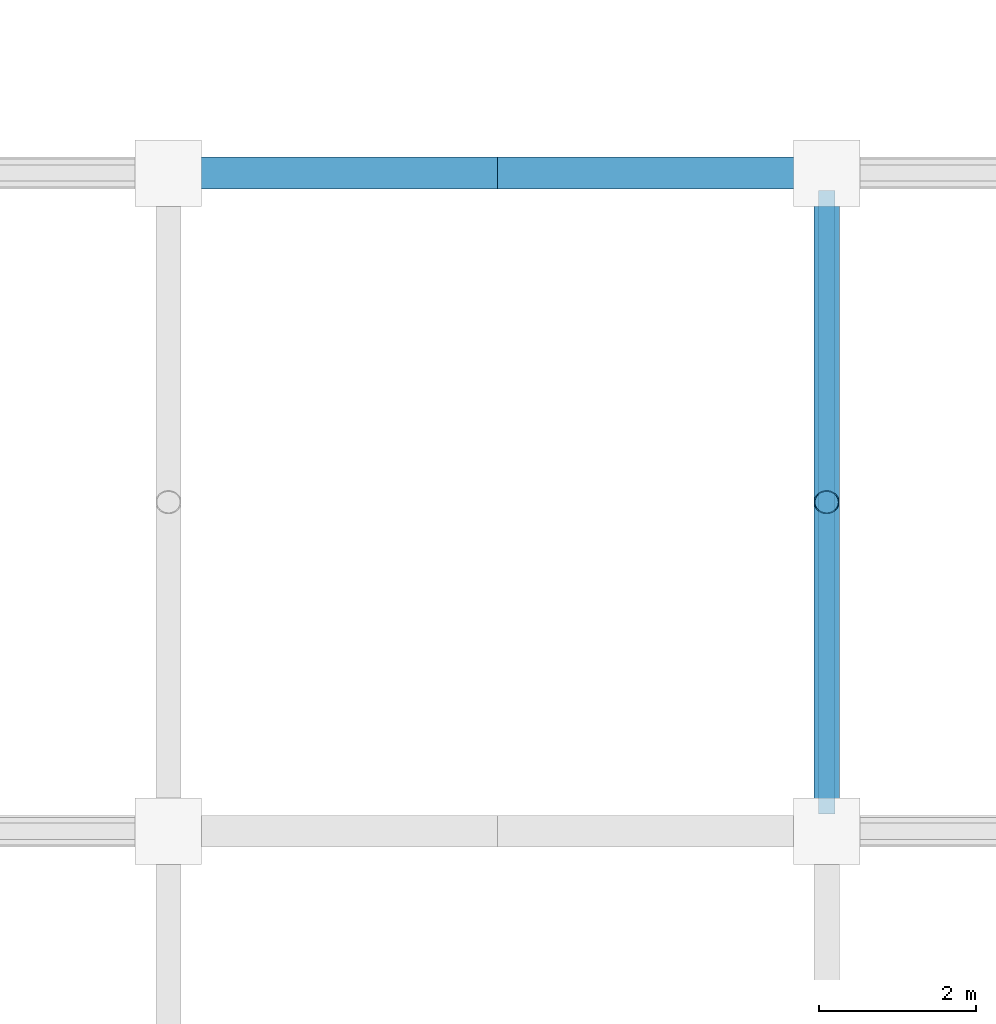
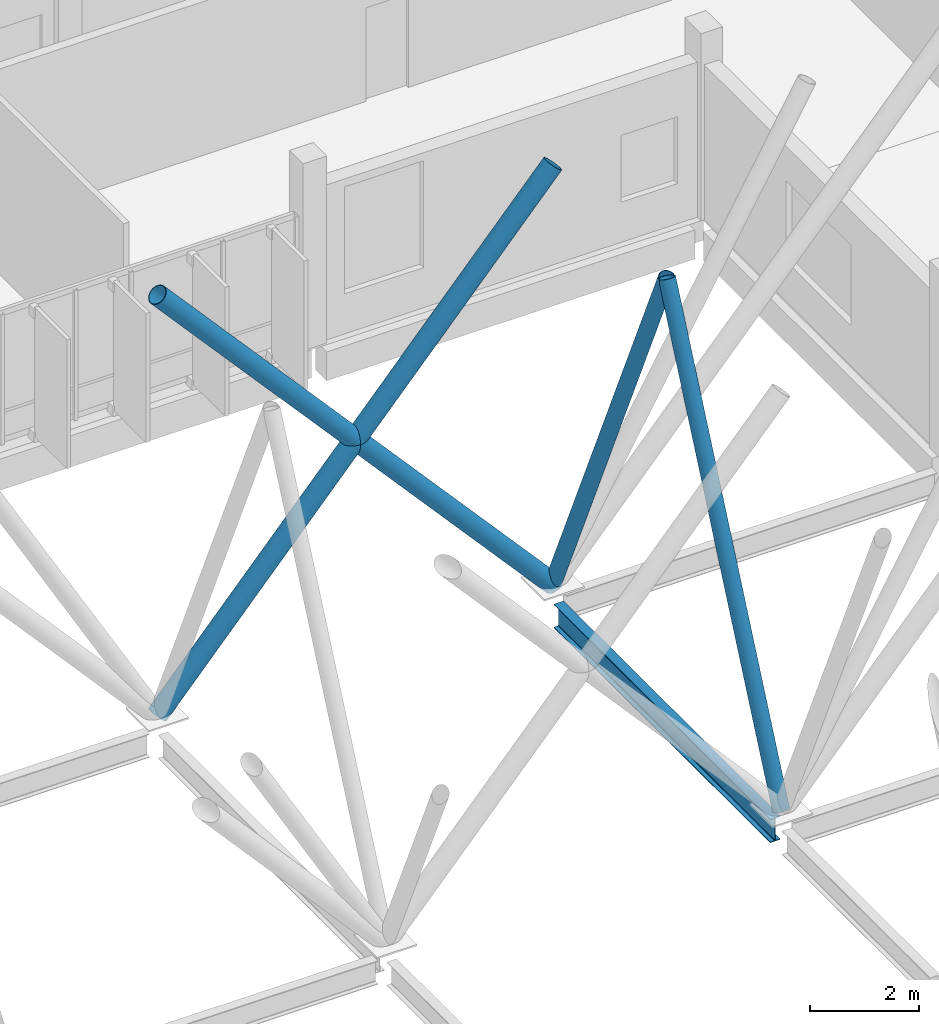
# One storey, part 45 of 107: 4 members, 1 beam.
"""IFC4 building model written with IfcOpenShell, lengths in metres."""

from ifc_helpers import new_model, si_unit, direction, frame, origin, origin_2d, place, context, subcontext, project, spatial, hollow_circle, i_section, extrude, material, material_profile, profile_set, type_object, element, save


model = new_model("IFC4")

# Units and contexts
model_context = context("Model", 3, precision=1e-05, world=origin(), true_north=direction((0.0, 1.0)))
body_context = subcontext(model_context, "Body", "Model", "MODEL_VIEW")
ifc_project = project(units=[si_unit("LENGTHUNIT", "METRE"), si_unit("AREAUNIT", "SQUARE_METRE"), si_unit("VOLUMEUNIT", "CUBIC_METRE"), si_unit("PLANEANGLEUNIT", "RADIAN"), si_unit("MASSUNIT", "GRAM", prefix="KILO")], contexts=[model_context])

# Site, building, storey
site_placement = place(None, origin())
site = spatial("IfcSite", under=ifc_project, at=site_placement, CompositionType="ELEMENT")
building_placement = place(site_placement, origin())
building = spatial("IfcBuilding", under=site, at=building_placement, Name="Vireocrest Preparatory School", CompositionType="ELEMENT")
storey_placement = place(building_placement, frame((0.0, 0.0, 13.199951171875)))
storey = spatial("IfcBuildingStorey", under=building, at=storey_placement, Name="L03", CompositionType="ELEMENT", Elevation=13.199951171875)

# Beam
ifc_material_1 = material(Name="Structural steel ASTM A992 Grade 50", Category="steel")
ifc_material_profile_1 = material_profile(ifc_material_1, i_section(OverallWidth=0.208984375, OverallDepth=0.532958984375, WebThickness=0.01025390625, FlangeThickness=0.015625, FilletRadius=0.014892578125, at=origin_2d()), Name="W21X62")
ifc_profile_set_1 = profile_set([ifc_material_profile_1], Name="Structural steel ASTM A992 Grade 50")
beam_type = type_object("IfcBeamType", Name="Court Tie Girder W21X62", PredefinedType="BEAM", material=ifc_profile_set_1)
beam_placement = place(storey_placement, frame((84.0, 77.6201171875, -0.56640625), z_axis=(0.0, 1.0, 0.0), x_axis=(-1.0, 0.0, 0.0)))
element("IfcBeam", 1, at=beam_placement, inside=storey, type_object=beam_type, Name="Court Trunk Spine Girder SB5 E7 L03", PredefinedType="BEAM", context=body_context, shape_type="SweptSolid", body=[
    extrude(i_section(OverallWidth=0.208984375, OverallDepth=0.532958984375, WebThickness=0.01025390625, FlangeThickness=0.015625, FilletRadius=0.014892578125, at=origin_2d()), origin(), (0.0, 0.0, 1.0), 7.9599609375),
])

# Members
ifc_material_2 = material(Name="Painted white steel ASTM A500 Grade C", Category="steel")
ifc_material_profile_2 = material_profile(ifc_material_2, hollow_circle(Radius=0.161865234375, WallThickness=0.0126953125, at=origin_2d()), Name="HSS12.750X0.500")
ifc_profile_set_2 = profile_set([ifc_material_profile_2], Name="Painted white steel ASTM A500 Grade C")
member_type_1 = type_object("IfcMemberType", Name="White Steel Canopy Tie Strut HSS12.750X0.500", PredefinedType="USERDEFINED", material=ifc_profile_set_2)
member_1_placement = place(storey_placement, frame((84.0, 77.39990234375, -0.0048828125), z_axis=(0.0, 0.40723631313, 0.913322826425), x_axis=(-1.0, 0.0, 0.0)))
element("IfcMember", 2, at=member_1_placement, inside=storey, type_object=member_type_1, Name="Longitudinal V-Strut VS2 E7-N", ObjectType="STRUT", PredefinedType="USERDEFINED", context=body_context, shape_type="SweptSolid", body=[
    extrude(hollow_circle(Radius=0.161865234375, WallThickness=0.0126953125, at=origin_2d()), origin(), (0.0, 0.0, 1.0), 10.31396484375),
])
member_2_placement = place(storey_placement, frame((84.0, 85.800048828125, -0.0048828125), z_axis=(0.0, -0.407216567456, 0.913331630455), x_axis=(1.0, 0.0, 0.0)))
element("IfcMember", 3, at=member_2_placement, inside=storey, type_object=member_type_1, Name="Longitudinal V-Strut VS2 E8-S", ObjectType="STRUT", PredefinedType="USERDEFINED", context=body_context, shape_type="SweptSolid", body=[
    extrude(hollow_circle(Radius=0.161865234375, WallThickness=0.0126953125, at=origin_2d()), origin(), (0.0, 0.0, 1.0), 10.313720703125),
])
ifc_material_profile_3 = material_profile(ifc_material_2, hollow_circle(Radius=0.203125, WallThickness=0.0126953125, at=origin_2d()), Name="HSS16.000X0.500")
ifc_profile_set_3 = profile_set([ifc_material_profile_3], Name="Painted white steel ASTM A500 Grade C")
member_type_2 = type_object("IfcMemberType", Name="White Steel V-Column Branch HSS16.000X0.500", PredefinedType="USERDEFINED", material=ifc_profile_set_3)
for number, where, z_axis, x_axis, name in (
    (4, (75.60009765625, 85.800048828125, -0.010009765625), (0.665138630213, 0.0, 0.746719895676), (0.0, 1.0, 0.0), "White Steel V-Column Branch VC3 W8-A2"),
    (5, (84.0, 85.800048828125, -0.010009765625), (-0.665138630213, 0.0, 0.746719895676), (0.0, -1.0, 0.0), "White Steel V-Column Branch VC3 E8-A1"),
):
    element("IfcMember", number, at=place(storey_placement, frame(where, z_axis=z_axis, x_axis=x_axis)), inside=storey, type_object=member_type_2, Name=name, ObjectType="STRUT", PredefinedType="USERDEFINED", context=body_context, shape_type="SweptSolid", body=[
        extrude(hollow_circle(Radius=0.203125, WallThickness=0.0126953125, at=origin_2d()), origin(), (0.0, 0.0, 1.0), 12.62890625),
    ])

save(model, "model.ifc")
